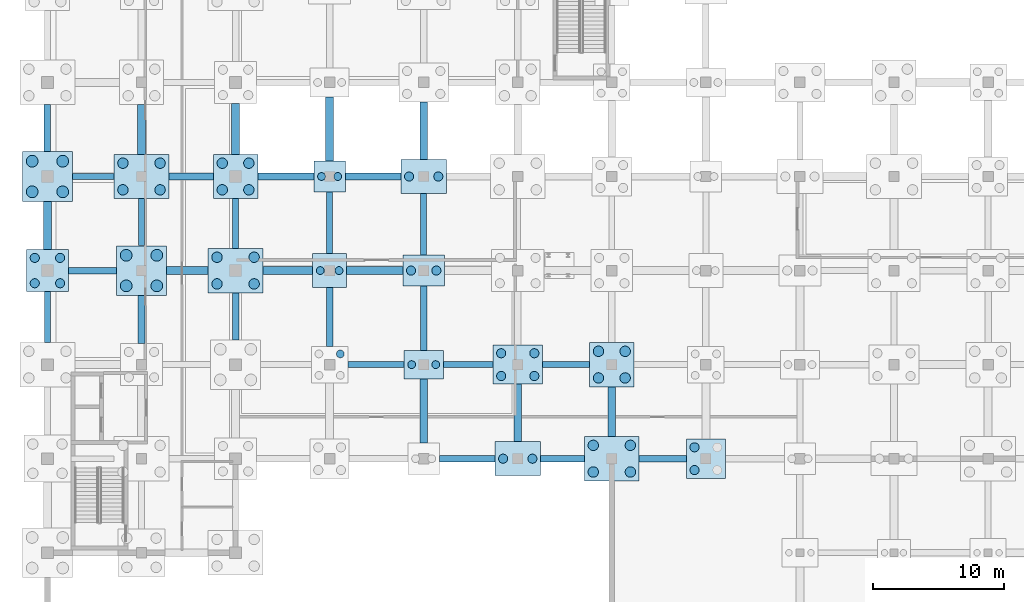
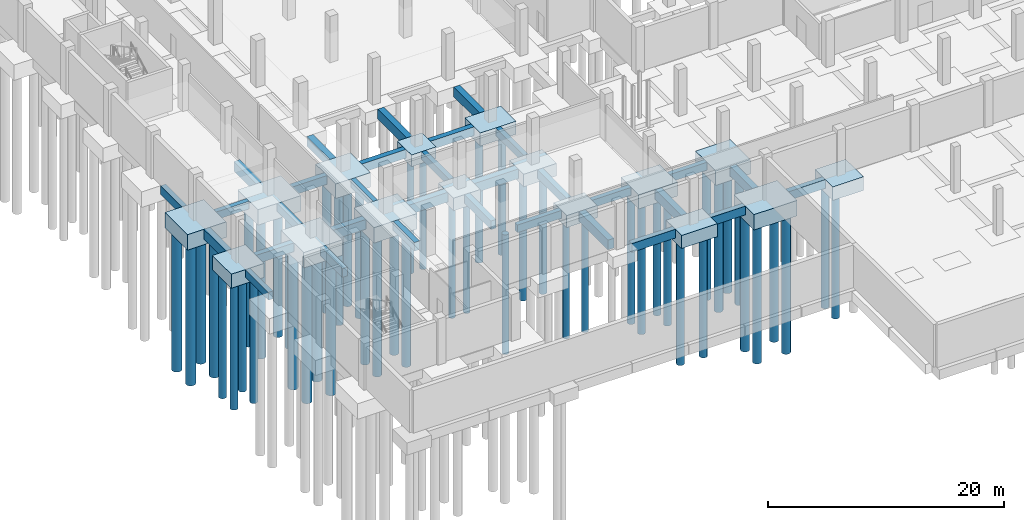
# One storey, part 2 of 38: 51 piles, 48 footings.
"""IFC4 building model written with IfcOpenShell, lengths in metres."""

import ifcopenshell
import ifcopenshell.guid

model = None  # the IFC model being written
_history = None  # IfcOwnerHistory: only IFC2X3 demands one
_inside = {}  # id of a spatial element -> (the spatial element, [elements in it])
_under = {}  # id of a project, library or spatial element -> (it, [spatial elements below it])
_declared = {}  # id of a project -> (the project, [libraries it declares])
_typed = {}  # id of a type object -> (the type object, [elements of that type])
_made_of = {}  # id of a material, layer set ... -> (it, [elements and type objects made of it])


def new_model(schema):
    """Start an empty IFC model of exactly this schema.

    Asked for "IFC4X3", IfcOpenShell would pick the latest addendum, in which some entities
    have other attributes; the version numbers below select the first issue.
    IFC2X3 requires an IfcOwnerHistory on every rooted entity: one is made here for all.
    """
    global model, _history
    if schema == "IFC4X3":
        model = ifcopenshell.file(schema_version=(4, 3, 0, 0))
    else:
        model = ifcopenshell.file(schema=schema)
    _inside.clear()
    _under.clear()
    _declared.clear()
    _typed.clear()
    _made_of.clear()
    _history = None
    if model.schema == "IFC2X3":
        org = make("IfcOrganization", Name="unknown")
        user = make(
            "IfcPersonAndOrganization",
            ThePerson=make("IfcPerson", FamilyName="unknown"),
            TheOrganization=org,
        )
        app = make(
            "IfcApplication",
            ApplicationDeveloper=org,
            Version="unknown",
            ApplicationFullName="unknown",
            ApplicationIdentifier="unknown",
        )
        _history = make(
            "IfcOwnerHistory",
            OwningUser=user,
            OwningApplication=app,
            ChangeAction="ADDED",
            CreationDate=0,
        )
    return model


def make(cls, **values):
    """One entity of the class cls with the attributes given. An attribute that is None is left unset."""
    return model.create_entity(
        cls, **{name: value for name, value in values.items() if value is not None}
    )


def rooted(cls, **values):
    """An entity with a GlobalId (a new one), such as an element, a storey or a relation."""
    return make(cls, GlobalId=ifcopenshell.guid.new(), OwnerHistory=_history, **values)


def si_unit(unit_type, name, prefix=None):
    """IfcSIUnit, for example si_unit("LENGTHUNIT", "METRE", prefix="MILLI")."""
    return make("IfcSIUnit", UnitType=unit_type, Prefix=prefix, Name=name)


def assignment(units):
    """IfcUnitAssignment: the units of a project."""
    return None if units is None else make("IfcUnitAssignment", Units=units)


def point(xyz):
    """IfcCartesianPoint."""
    return None if xyz is None else make("IfcCartesianPoint", Coordinates=xyz)


def direction(xyz):
    """IfcDirection."""
    return None if xyz is None else make("IfcDirection", DirectionRatios=xyz)


def frame(location, z_axis=None, x_axis=None):
    """IfcAxis2Placement3D, a coordinate frame: its origin and axes. An axis left out is left unset."""
    return make(
        "IfcAxis2Placement3D",
        Location=point(location),
        Axis=direction(z_axis),
        RefDirection=direction(x_axis),
    )


def frame_2d(location, x_axis=None):
    """IfcAxis2Placement2D, a coordinate frame in the plane: its origin and x axis."""
    return make(
        "IfcAxis2Placement2D", Location=point(location), RefDirection=direction(x_axis)
    )


def origin():
    """The frame at (0, 0, 0) with its axes left unset."""
    return frame((0.0, 0.0, 0.0))


def origin_2d():
    """The frame at (0, 0) in the plane with its x axis left unset."""
    return frame_2d((0.0, 0.0))


def place(relative_to, where):
    """IfcLocalPlacement: puts the frame where relative to a parent placement (None: the world)."""
    return make(
        "IfcLocalPlacement", PlacementRelTo=relative_to, RelativePlacement=where
    )


def context(
    kind, dimensions, precision=None, world=None, true_north=None, identifier=None
):
    """IfcGeometricRepresentationContext, for example the 3D "Model" context."""
    return make(
        "IfcGeometricRepresentationContext",
        ContextIdentifier=identifier,
        ContextType=kind,
        CoordinateSpaceDimension=dimensions,
        Precision=precision,
        WorldCoordinateSystem=world,
        TrueNorth=true_north,
    )


def subcontext(parent, identifier, kind, view, scale=None):
    """IfcGeometricRepresentationSubContext, for example "Body" below "Model"."""
    return make(
        "IfcGeometricRepresentationSubContext",
        ContextIdentifier=identifier,
        ContextType=kind,
        ParentContext=parent,
        TargetScale=scale,
        TargetView=view,
    )


def project(units=None, contexts=None):
    """IfcProject with its units and contexts."""
    return rooted(
        "IfcProject",
        Name="project",
        RepresentationContexts=contexts,
        UnitsInContext=assignment(units),
    )


def spatial(cls, under=None, at=None, **own):
    """A site, building, storey or space (cls), placed at a placement, below another one or the project."""
    s = rooted(cls, ObjectPlacement=at, **own)
    if under is not None:
        _under.setdefault(under.id(), (under, []))[1].append(s)
    return s


def profile(cls, at=None, kind="AREA", **sizes):
    """A parametric profile (cls). Its sizes go by their IFC names, for example OverallWidth=200.0."""
    return make(cls, ProfileType=kind, Position=at, **sizes)


def rectangle(**sizes):
    """IfcRectangleProfileDef."""
    return profile("IfcRectangleProfileDef", **sizes)


def circle(**sizes):
    """IfcCircleProfileDef."""
    return profile("IfcCircleProfileDef", **sizes)


def extrude(swept, where, along, depth):
    """IfcExtrudedAreaSolid: the profile swept, set in the frame where, extruded along a direction by depth."""
    return make(
        "IfcExtrudedAreaSolid",
        SweptArea=swept,
        Position=where,
        ExtrudedDirection=direction(along),
        Depth=depth,
    )


def shape(context_of_items, identifier, shape_type, items):
    """IfcShapeRepresentation: the items that make up one representation, for example the "Body"."""
    return make(
        "IfcShapeRepresentation",
        ContextOfItems=context_of_items,
        RepresentationIdentifier=identifier,
        RepresentationType=shape_type,
        Items=items,
    )


def material(Name=None, Category=None):
    """IfcMaterial."""
    return make("IfcMaterial", Name=Name, Category=Category)


def material_profile(
    of_material, cross_section, Name=None, Category=None, Priority=None
):
    """IfcMaterialProfile: a cross section and its material."""
    return make(
        "IfcMaterialProfile",
        Name=Name,
        Material=of_material,
        Profile=cross_section,
        Priority=Priority,
        Category=Category,
    )


def profile_set(profiles, Name=None, composite=None):
    """IfcMaterialProfileSet."""
    return make(
        "IfcMaterialProfileSet",
        Name=Name,
        MaterialProfiles=profiles,
        CompositeProfile=composite,
    )


def made_of(thing, what):
    """Note that an element or type object is made of a material, layer set ...; save() writes the relation."""
    if what is not None:
        _made_of.setdefault(what.id(), (what, []))[1].append(thing)
    return thing


def type_object(cls, material=None, **own):
    """A type object (cls), such as IfcWallType, which elements share."""
    return made_of(rooted(cls, **own), material)


def element(
    cls,
    number,
    at=None,
    inside=None,
    cuts=None,
    type_object=None,
    material=None,
    context=None,
    identifier="Body",
    shape_type=None,
    held_by="IfcProductDefinitionShape",
    body=None,
    shapes=None,
    **own,
):
    """One element of the class cls, such as IfcWall. Its Tag is "e" and its number.

    at: its placement. inside: the storey or other place that contains it. cuts: it is an
    opening in that element (IfcRelVoidsElement). A single representation is given by context,
    identifier, shape_type and body (its items); several are given by shapes. held_by: the class
    of the entity that holds the representations. save() writes the other relations.
    """
    e = rooted(cls, Tag="e%d" % number, ObjectPlacement=at, **own)
    if body is not None:
        shapes = [shape(context, identifier, shape_type, body)]
    if shapes is not None:
        e.Representation = make(held_by, Representations=shapes)
    if inside is not None:
        _inside.setdefault(inside.id(), (inside, []))[1].append(e)
    if cuts is not None:
        rooted(
            "IfcRelVoidsElement", RelatingBuildingElement=cuts, RelatedOpeningElement=e
        )
    if type_object is not None:
        _typed.setdefault(type_object.id(), (type_object, []))[1].append(e)
    return made_of(e, material)


def aggregate(whole, parts):
    """IfcRelAggregates: a whole, such as a stair, and the parts it consists of."""
    return rooted("IfcRelAggregates", RelatingObject=whole, RelatedObjects=parts)


def save(model, path):
    """Write the relations noted so far, then the file.

    IfcRelAggregates (storeys below a building ...), IfcRelContainedInSpatialStructure (elements
    in a storey), IfcRelDefinesByType, IfcRelAssociatesMaterial and IfcRelDeclares: one each for
    every whole, place, type object, material and project.
    """
    for whole, parts in _under.values():
        aggregate(whole, parts)
    for where, things in _inside.values():
        rooted(
            "IfcRelContainedInSpatialStructure",
            RelatedElements=things,
            RelatingStructure=where,
        )
    for kind, things in _typed.values():
        rooted("IfcRelDefinesByType", RelatedObjects=things, RelatingType=kind)
    for what, things in _made_of.values():
        rooted("IfcRelAssociatesMaterial", RelatedObjects=things, RelatingMaterial=what)
    for by, libraries in _declared.values():
        rooted("IfcRelDeclares", RelatingContext=by, RelatedDefinitions=libraries)
    model.write(path)


model = new_model("IFC4")

# Units and contexts
model_context = context("Model", 3, precision=1e-05, world=origin(), true_north=direction((0.0, 1.0)))
body_context = subcontext(model_context, "Body", "Model", "MODEL_VIEW")
ifc_project = project(units=[si_unit("LENGTHUNIT", "METRE"), si_unit("AREAUNIT", "SQUARE_METRE"), si_unit("VOLUMEUNIT", "CUBIC_METRE"), si_unit("PLANEANGLEUNIT", "RADIAN"), si_unit("MASSUNIT", "GRAM", prefix="KILO")], contexts=[model_context])

# Site, building, storey
site_placement = place(None, origin())
site = spatial("IfcSite", under=ifc_project, at=site_placement, CompositionType="ELEMENT")
building_placement = place(site_placement, origin())
building = spatial("IfcBuilding", under=site, at=building_placement, Name="Valkovuoma Quantum and Materials Research Institute", CompositionType="ELEMENT")
storey_placement = place(building_placement, frame((0.0, 0.0, -4.800048828125)))
storey = spatial("IfcBuildingStorey", under=building, at=storey_placement, Name="B1", CompositionType="ELEMENT", Elevation=-4.800048828125)

# Footings
ifc_material_1 = material(Name="Concrete C35/45", Category="concrete")
footing_type_1 = type_object("IfcFootingType", Name="Cap-PC-03", PredefinedType="PILE_CAP", material=ifc_material_1)
footing_1_placement = place(storey_placement, frame((21.60009765625, 57.60009765625, -1.19970703125), z_axis=(0.0, 0.0, 1.0), x_axis=(1.0, 0.0, 0.0)))
element("IfcFooting", 1, at=footing_1_placement, inside=storey, type_object=footing_type_1, Name="B1 pile cap 04J", PredefinedType="PILE_CAP", context=body_context, shape_type="SweptSolid", body=[
    extrude(rectangle(XDim=2.39990234375, YDim=2.39990234375, at=origin_2d()), origin(), (0.0, 0.0, 1.0), 1.199951171875),
])
ifc_material_2 = material(Name="Concrete C35/45", Category="concrete")
footing_type_2 = type_object("IfcFootingType", Name="Cap-PC-04", PredefinedType="PILE_CAP", material=ifc_material_2)
footing_2_placement = place(storey_placement, frame((21.60009765625, 50.39990234375, -1.2998046875), z_axis=(0.0, 0.0, 1.0), x_axis=(1.0, 0.0, 0.0)))
element("IfcFooting", 2, at=footing_2_placement, inside=storey, type_object=footing_type_2, Name="B1 pile cap 04H", PredefinedType="PILE_CAP", context=body_context, shape_type="SweptSolid", body=[
    extrude(rectangle(XDim=2.60009765625, YDim=2.60009765625, at=origin_2d()), origin(), (0.0, 0.0, 1.0), 1.300048828125),
])
ifc_material_3 = material(Name="Concrete C35/45", Category="concrete")
footing_type_3 = type_object("IfcFootingType", Name="Cap-PC-06", PredefinedType="PILE_CAP", material=ifc_material_3)
footing_3_placement = place(storey_placement, frame((50.39990234375, 36.0, -1.39990234375), z_axis=(0.0, 0.0, 1.0), x_axis=(1.0, 0.0, 0.0)))
element("IfcFooting", 3, at=footing_3_placement, inside=storey, type_object=footing_type_3, Name="B1 pile cap 08F", PredefinedType="PILE_CAP", context=body_context, shape_type="SweptSolid", body=[
    extrude(rectangle(XDim=3.0, YDim=3.0, at=origin_2d()), origin(), (0.0, 0.0, 1.0), 1.39990234375),
])
ifc_material_4 = material(Name="Concrete C35/45", Category="concrete")
footing_type_4 = type_object("IfcFootingType", Name="Cap-PC-07", PredefinedType="PILE_CAP", material=ifc_material_4)
footing_4_placement = place(storey_placement, frame((0.0, 50.39990234375, -1.44970703125), z_axis=(0.0, 0.0, 1.0), x_axis=(1.0, 0.0, 0.0)))
element("IfcFooting", 4, at=footing_4_placement, inside=storey, type_object=footing_type_4, Name="B1 pile cap 01H", PredefinedType="PILE_CAP", context=body_context, shape_type="SweptSolid", body=[
    extrude(rectangle(XDim=3.199951171875, YDim=3.199951171875, at=origin_2d()), origin(), (0.0, 0.0, 1.0), 1.449951171875),
])
ifc_material_5 = material(Name="Concrete C35/45", Category="concrete")
footing_type_5 = type_object("IfcFootingType", Name="Cap-PC-08", PredefinedType="PILE_CAP", material=ifc_material_5)
for number, where, z_axis, x_axis, name in (
    (5, (14.39990234375, 57.60009765625, -1.5), (0.0, 0.0, 1.0), (1.0, 0.0, 0.0), "B1 pile cap 03J"),
    (6, (43.199951171875, 43.199951171875, -1.5), (0.0, 0.0, 1.0), (1.0, 0.0, 0.0), "B1 pile cap 07G"),
):
    element("IfcFooting", number, at=place(storey_placement, frame(where, z_axis=z_axis, x_axis=x_axis)), inside=storey, type_object=footing_type_5, Name=name, PredefinedType="PILE_CAP", context=body_context, shape_type="SweptSolid", body=[
        extrude(rectangle(XDim=3.39990234375, YDim=3.39990234375, at=origin_2d()), origin(), (0.0, 0.0, 1.0), 1.5),
    ])
ifc_material_6 = material(Name="Concrete C35/45", Category="concrete")
footing_type_6 = type_object("IfcFootingType", Name="Cap-PC-10", PredefinedType="PILE_CAP", material=ifc_material_6)
for number, where, z_axis, x_axis, name in (
    (7, (0.0, 57.60009765625, -1.60009765625), (0.0, 0.0, 1.0), (1.0, 0.0, 0.0), "B1 pile cap 01J"),
    (8, (7.199951171875, 50.39990234375, -1.60009765625), (0.0, 0.0, 1.0), (1.0, 0.0, 0.0), "B1 pile cap 02H"),
):
    element("IfcFooting", number, at=place(storey_placement, frame(where, z_axis=z_axis, x_axis=x_axis)), inside=storey, type_object=footing_type_6, Name=name, PredefinedType="PILE_CAP", context=body_context, shape_type="SweptSolid", body=[
        extrude(rectangle(XDim=3.800048828125, YDim=3.800048828125, at=origin_2d()), origin(), (0.0, 0.0, 1.0), 1.60009765625),
    ])
ifc_material_7 = material(Name="Concrete C35/45", Category="concrete")
footing_type_7 = type_object("IfcFootingType", Name="Cap-PC-11", PredefinedType="PILE_CAP", material=ifc_material_7)
footing_5_placement = place(storey_placement, frame((28.800048828125, 43.199951171875, -1.25), z_axis=(0.0, 0.0, 1.0), x_axis=(1.0, 0.0, 0.0)))
element("IfcFooting", 9, at=footing_5_placement, inside=storey, type_object=footing_type_7, Name="B1 pile cap 05G", PredefinedType="PILE_CAP", context=body_context, shape_type="SweptSolid", body=[
    extrude(rectangle(XDim=3.0, YDim=2.199951171875, at=origin_2d()), origin(), (0.0, 0.0, 1.0), 1.25),
])
ifc_material_8 = material(Name="Concrete C35/45", Category="concrete")
footing_type_8 = type_object("IfcFootingType", Name="Cap-PC-12", PredefinedType="PILE_CAP", material=ifc_material_8)
footing_6_placement = place(storey_placement, frame((28.800048828125, 50.39990234375, -1.2998046875), z_axis=(0.0, 0.0, 1.0), x_axis=(1.0, 0.0, 0.0)))
element("IfcFooting", 10, at=footing_6_placement, inside=storey, type_object=footing_type_8, Name="B1 pile cap 05H", PredefinedType="PILE_CAP", context=body_context, shape_type="SweptSolid", body=[
    extrude(rectangle(XDim=3.199951171875, YDim=2.39990234375, at=origin_2d()), origin(), (0.0, 0.0, 1.0), 1.300048828125),
])
ifc_material_9 = material(Name="Concrete C35/45", Category="concrete")
footing_type_9 = type_object("IfcFootingType", Name="Cap-PC-13", PredefinedType="PILE_CAP", material=ifc_material_9)
for number, where, z_axis, x_axis, name in (
    (11, (28.800048828125, 57.60009765625, -1.35009765625), (0.0, 0.0, 1.0), (1.0, 0.0, 0.0), "B1 pile cap 05J"),
    (12, (36.0, 36.0, -1.35009765625), (0.0, 0.0, 1.0), (1.0, 0.0, 0.0), "B1 pile cap 06F"),
):
    element("IfcFooting", number, at=place(storey_placement, frame(where, z_axis=z_axis, x_axis=x_axis)), inside=storey, type_object=footing_type_9, Name=name, PredefinedType="PILE_CAP", context=body_context, shape_type="SweptSolid", body=[
        extrude(rectangle(XDim=3.5, YDim=2.60009765625, at=origin_2d()), origin(), (0.0, 0.0, 1.0), 1.35009765625),
    ])
ifc_material_10 = material(Name="Concrete C35/45", Category="concrete")
footing_type_10 = type_object("IfcFootingType", Name="Cap-PC-14", PredefinedType="PILE_CAP", material=ifc_material_10)
footing_7_placement = place(storey_placement, frame((36.0, 43.199951171875, -1.44970703125), z_axis=(0.0, 0.0, 1.0), x_axis=(1.0, 0.0, 0.0)))
element("IfcFooting", 13, at=footing_7_placement, inside=storey, type_object=footing_type_10, Name="B1 pile cap 06G", PredefinedType="PILE_CAP", context=body_context, shape_type="SweptSolid", body=[
    extrude(rectangle(XDim=3.800048828125, YDim=3.0, at=origin_2d()), origin(), (0.0, 0.0, 1.0), 1.449951171875),
])
ifc_material_11 = material(Name="Concrete C35/45", Category="concrete")
footing_type_11 = type_object("IfcFootingType", Name="Cap-PC-16", PredefinedType="PILE_CAP", material=ifc_material_11)
for number, where, z_axis, x_axis, name in (
    (14, (7.199951171875, 57.60009765625, -1.60009765625), (0.0, 0.0, 1.0), (1.0, 0.0, 0.0), "B1 pile cap 02J"),
    (15, (14.39990234375, 50.39990234375, -1.60009765625), (0.0, 0.0, 1.0), (1.0, 0.0, 0.0), "B1 pile cap 03H"),
    (16, (43.199951171875, 36.0, -1.60009765625), (0.0, 0.0, 1.0), (1.0, 0.0, 0.0), "B1 pile cap 07F"),
):
    element("IfcFooting", number, at=place(storey_placement, frame(where, z_axis=z_axis, x_axis=x_axis)), inside=storey, type_object=footing_type_11, Name=name, PredefinedType="PILE_CAP", context=body_context, shape_type="SweptSolid", body=[
        extrude(rectangle(XDim=4.199951171875, YDim=3.39990234375, at=origin_2d()), origin(), (0.0, 0.0, 1.0), 1.60009765625),
    ])
ifc_material_12 = material(Name="Concrete C35/45", Category="concrete")
footing_type_12 = type_object("IfcFootingType", Name="GndBeam-FB-01", PredefinedType="FOOTING_BEAM", material=ifc_material_12)
footing_8_placement = place(storey_placement, frame((0.0, 46.85009765625, -0.7998046875), z_axis=(0.0, 0.0, 1.0), x_axis=(0.0, 1.0, 0.0)))
element("IfcFooting", 17, at=footing_8_placement, inside=storey, type_object=footing_type_12, Name="B1 ground tie beam Y-006", PredefinedType="FOOTING_BEAM", context=body_context, shape_type="SweptSolid", body=[
    extrude(rectangle(XDim=3.89990234375, YDim=0.449951171875, at=origin_2d()), origin(), (0.0, 0.0, 1.0), 0.800048828125),
])
footing_9_placement = place(storey_placement, frame((3.5, 57.60009765625, -0.7998046875), z_axis=(0.0, 0.0, 1.0), x_axis=(1.0, 0.0, 0.0)))
element("IfcFooting", 18, at=footing_9_placement, inside=storey, type_object=footing_type_12, Name="B1 ground tie beam X-009", PredefinedType="FOOTING_BEAM", context=body_context, shape_type="SweptSolid", body=[
    extrude(rectangle(XDim=3.199951171875, YDim=0.449951171875, at=origin_2d()), origin(), (0.0, 0.0, 1.0), 0.800048828125),
])
footing_10_placement = place(storey_placement, frame((7.199951171875, 54.10009765625, -0.7998046875), z_axis=(0.0, 0.0, 1.0), x_axis=(0.0, 1.0, 0.0)))
element("IfcFooting", 19, at=footing_10_placement, inside=storey, type_object=footing_type_12, Name="B1 ground tie beam Y-027", PredefinedType="FOOTING_BEAM", context=body_context, shape_type="SweptSolid", body=[
    extrude(rectangle(XDim=3.60009765625, YDim=0.449951171875, at=origin_2d()), origin(), (0.0, 0.0, 1.0), 0.800048828125),
])
footing_11_placement = place(storey_placement, frame((14.39990234375, 54.0, -0.7998046875), z_axis=(0.0, 0.0, 1.0), x_axis=(0.0, 1.0, 0.0)))
element("IfcFooting", 20, at=footing_11_placement, inside=storey, type_object=footing_type_12, Name="B1 ground tie beam Y-045", PredefinedType="FOOTING_BEAM", context=body_context, shape_type="SweptSolid", body=[
    extrude(rectangle(XDim=3.800048828125, YDim=0.449951171875, at=origin_2d()), origin(), (0.0, 0.0, 1.0), 0.800048828125),
])
footing_12_placement = place(storey_placement, frame((25.14990234375, 43.199951171875, -0.7998046875), z_axis=(0.0, 0.0, 1.0), x_axis=(1.0, 0.0, 0.0)))
element("IfcFooting", 21, at=footing_12_placement, inside=storey, type_object=footing_type_12, Name="B1 ground tie beam X-063", PredefinedType="FOOTING_BEAM", context=body_context, shape_type="SweptSolid", body=[
    extrude(rectangle(XDim=4.300048828125, YDim=0.449951171875, at=origin_2d()), origin(), (0.0, 0.0, 1.0), 0.800048828125),
])
footing_13_placement = place(storey_placement, frame((21.60009765625, 54.050048828125, -0.7998046875), z_axis=(0.0, 0.0, 1.0), x_axis=(0.0, 1.0, 0.0)))
element("IfcFooting", 22, at=footing_13_placement, inside=storey, type_object=footing_type_12, Name="B1 ground tie beam Y-066", PredefinedType="FOOTING_BEAM", context=body_context, shape_type="SweptSolid", body=[
    extrude(rectangle(XDim=4.699951171875, YDim=0.449951171875, at=origin_2d()), origin(), (0.0, 0.0, 1.0), 0.800048828125),
])
footing_14_placement = place(storey_placement, frame((32.199951171875, 43.199951171875, -0.7998046875), z_axis=(0.0, 0.0, 1.0), x_axis=(1.0, 0.0, 0.0)))
element("IfcFooting", 23, at=footing_14_placement, inside=storey, type_object=footing_type_12, Name="B1 ground tie beam X-084", PredefinedType="FOOTING_BEAM", context=body_context, shape_type="SweptSolid", body=[
    extrude(rectangle(XDim=3.800048828125, YDim=0.449951171875, at=origin_2d()), origin(), (0.0, 0.0, 1.0), 0.800048828125),
])
footing_15_placement = place(storey_placement, frame((28.800048828125, 53.949951171875, -0.7998046875), z_axis=(0.0, 0.0, 1.0), x_axis=(0.0, 1.0, 0.0)))
element("IfcFooting", 24, at=footing_15_placement, inside=storey, type_object=footing_type_12, Name="B1 ground tie beam Y-087", PredefinedType="FOOTING_BEAM", context=body_context, shape_type="SweptSolid", body=[
    extrude(rectangle(XDim=4.699951171875, YDim=0.449951171875, at=origin_2d()), origin(), (0.0, 0.0, 1.0), 0.800048828125),
])
footing_16_placement = place(storey_placement, frame((39.699951171875, 43.199951171875, -0.7998046875), z_axis=(0.0, 0.0, 1.0), x_axis=(1.0, 0.0, 0.0)))
element("IfcFooting", 25, at=footing_16_placement, inside=storey, type_object=footing_type_12, Name="B1 ground tie beam X-105", PredefinedType="FOOTING_BEAM", context=body_context, shape_type="SweptSolid", body=[
    extrude(rectangle(XDim=3.60009765625, YDim=0.449951171875, at=origin_2d()), origin(), (0.0, 0.0, 1.0), 0.800048828125),
])
ifc_material_13 = material(Name="Concrete C35/45", Category="concrete")
footing_type_13 = type_object("IfcFootingType", Name="GndBeam-FB-02", PredefinedType="FOOTING_BEAM", material=ifc_material_13)
footing_17_placement = place(storey_placement, frame((3.449951171875, 50.39990234375, -0.89990234375), z_axis=(0.0, 0.0, 1.0), x_axis=(1.0, 0.0, 0.0)))
element("IfcFooting", 26, at=footing_17_placement, inside=storey, type_object=footing_type_13, Name="B1 ground tie beam X-007", PredefinedType="FOOTING_BEAM", context=body_context, shape_type="SweptSolid", body=[
    extrude(rectangle(XDim=3.699951171875, YDim=0.5, at=origin_2d()), origin(), (0.0, 0.0, 1.0), 0.89990234375),
])
footing_18_placement = place(storey_placement, frame((0.0, 61.300048828125, -0.89990234375), z_axis=(0.0, 0.0, 1.0), x_axis=(0.0, 1.0, 0.0)))
element("IfcFooting", 27, at=footing_18_placement, inside=storey, type_object=footing_type_13, Name="B1 ground tie beam Y-010", PredefinedType="FOOTING_BEAM", context=body_context, shape_type="SweptSolid", body=[
    extrude(rectangle(XDim=3.60009765625, YDim=0.5, at=origin_2d()), origin(), (0.0, 0.0, 1.0), 0.89990234375),
])
footing_19_placement = place(storey_placement, frame((7.199951171875, 46.64990234375, -0.89990234375), z_axis=(0.0, 0.0, 1.0), x_axis=(0.0, 1.0, 0.0)))
element("IfcFooting", 28, at=footing_19_placement, inside=storey, type_object=footing_type_13, Name="B1 ground tie beam Y-025", PredefinedType="FOOTING_BEAM", context=body_context, shape_type="SweptSolid", body=[
    extrude(rectangle(XDim=3.699951171875, YDim=0.5, at=origin_2d()), origin(), (0.0, 0.0, 1.0), 0.89990234375),
])
footing_20_placement = place(storey_placement, frame((11.0, 57.60009765625, -0.89990234375), z_axis=(0.0, 0.0, 1.0), x_axis=(1.0, 0.0, 0.0)))
element("IfcFooting", 29, at=footing_20_placement, inside=storey, type_object=footing_type_13, Name="B1 ground tie beam X-028", PredefinedType="FOOTING_BEAM", context=body_context, shape_type="SweptSolid", body=[
    extrude(rectangle(XDim=3.39990234375, YDim=0.5, at=origin_2d()), origin(), (0.0, 0.0, 1.0), 0.89990234375),
])
footing_21_placement = place(storey_placement, frame((14.39990234375, 46.89990234375, -0.89990234375), z_axis=(0.0, 0.0, 1.0), x_axis=(0.0, 1.0, 0.0)))
element("IfcFooting", 30, at=footing_21_placement, inside=storey, type_object=footing_type_13, Name="B1 ground tie beam Y-043", PredefinedType="FOOTING_BEAM", context=body_context, shape_type="SweptSolid", body=[
    extrude(rectangle(XDim=3.60009765625, YDim=0.5, at=origin_2d()), origin(), (0.0, 0.0, 1.0), 0.89990234375),
])
footing_22_placement = place(storey_placement, frame((18.25, 57.60009765625, -0.89990234375), z_axis=(0.0, 0.0, 1.0), x_axis=(1.0, 0.0, 0.0)))
element("IfcFooting", 31, at=footing_22_placement, inside=storey, type_object=footing_type_13, Name="B1 ground tie beam X-046", PredefinedType="FOOTING_BEAM", context=body_context, shape_type="SweptSolid", body=[
    extrude(rectangle(XDim=4.300048828125, YDim=0.5, at=origin_2d()), origin(), (0.0, 0.0, 1.0), 0.89990234375),
])
footing_23_placement = place(storey_placement, frame((21.60009765625, 46.85009765625, -0.89990234375), z_axis=(0.0, 0.0, 1.0), x_axis=(0.0, 1.0, 0.0)))
element("IfcFooting", 32, at=footing_23_placement, inside=storey, type_object=footing_type_13, Name="B1 ground tie beam Y-064", PredefinedType="FOOTING_BEAM", context=body_context, shape_type="SweptSolid", body=[
    extrude(rectangle(XDim=4.5, YDim=0.5, at=origin_2d()), origin(), (0.0, 0.0, 1.0), 0.89990234375),
])
for number, where, z_axis, x_axis, name in (
    (33, (24.925048828125, 57.60009765625, -0.89990234375), (0.0, 0.0, 1.0), (1.0, 0.0, 0.0), "B1 ground tie beam X-067"),
    (34, (32.125, 36.0, -0.89990234375), (0.0, 0.0, 1.0), (1.0, 0.0, 0.0), "B1 ground tie beam X-082"),
):
    element("IfcFooting", number, at=place(storey_placement, frame(where, z_axis=z_axis, x_axis=x_axis)), inside=storey, type_object=footing_type_13, Name=name, PredefinedType="FOOTING_BEAM", context=body_context, shape_type="SweptSolid", body=[
        extrude(rectangle(XDim=4.25, YDim=0.5, at=origin_2d()), origin(), (0.0, 0.0, 1.0), 0.89990234375),
    ])
footing_24_placement = place(storey_placement, frame((28.800048828125, 46.75, -0.89990234375), z_axis=(0.0, 0.0, 1.0), x_axis=(0.0, 1.0, 0.0)))
element("IfcFooting", 35, at=footing_24_placement, inside=storey, type_object=footing_type_13, Name="B1 ground tie beam Y-085", PredefinedType="FOOTING_BEAM", context=body_context, shape_type="SweptSolid", body=[
    extrude(rectangle(XDim=4.89990234375, YDim=0.5, at=origin_2d()), origin(), (0.0, 0.0, 1.0), 0.89990234375),
])
footing_25_placement = place(storey_placement, frame((39.425048828125, 36.0, -0.89990234375), z_axis=(0.0, 0.0, 1.0), x_axis=(1.0, 0.0, 0.0)))
element("IfcFooting", 36, at=footing_25_placement, inside=storey, type_object=footing_type_13, Name="B1 ground tie beam X-103", PredefinedType="FOOTING_BEAM", context=body_context, shape_type="SweptSolid", body=[
    extrude(rectangle(XDim=3.35009765625, YDim=0.5, at=origin_2d()), origin(), (0.0, 0.0, 1.0), 0.89990234375),
])
footing_26_placement = place(storey_placement, frame((47.10009765625, 36.0, -0.89990234375), z_axis=(0.0, 0.0, 1.0), x_axis=(1.0, 0.0, 0.0)))
element("IfcFooting", 37, at=footing_26_placement, inside=storey, type_object=footing_type_13, Name="B1 ground tie beam X-124", PredefinedType="FOOTING_BEAM", context=body_context, shape_type="SweptSolid", body=[
    extrude(rectangle(XDim=3.60009765625, YDim=0.5, at=origin_2d()), origin(), (0.0, 0.0, 1.0), 0.89990234375),
])
ifc_material_14 = material(Name="Concrete C35/45", Category="concrete")
footing_type_14 = type_object("IfcFootingType", Name="GndBeam-FB-03", PredefinedType="FOOTING_BEAM", material=ifc_material_14)
footing_27_placement = place(storey_placement, frame((0.0, 53.85009765625, -1.0), z_axis=(0.0, 0.0, 1.0), x_axis=(0.0, 1.0, 0.0)))
element("IfcFooting", 38, at=footing_27_placement, inside=storey, type_object=footing_type_14, Name="B1 ground tie beam Y-008", PredefinedType="FOOTING_BEAM", context=body_context, shape_type="SweptSolid", body=[
    extrude(rectangle(XDim=3.699951171875, YDim=0.60009765625, at=origin_2d()), origin(), (0.0, 0.0, 1.0), 1.0),
])
footing_28_placement = place(storey_placement, frame((10.699951171875, 50.39990234375, -1.0), z_axis=(0.0, 0.0, 1.0), x_axis=(1.0, 0.0, 0.0)))
element("IfcFooting", 39, at=footing_28_placement, inside=storey, type_object=footing_type_14, Name="B1 ground tie beam X-026", PredefinedType="FOOTING_BEAM", context=body_context, shape_type="SweptSolid", body=[
    extrude(rectangle(XDim=3.199951171875, YDim=0.60009765625, at=origin_2d()), origin(), (0.0, 0.0, 1.0), 1.0),
])
for number, where, z_axis, x_axis, name in (
    (40, (7.199951171875, 61.199951171875, -1.0), (0.0, 0.0, 1.0), (0.0, 1.0, 0.0), "B1 ground tie beam Y-029"),
    (41, (18.39990234375, 50.39990234375, -1.0), (0.0, 0.0, 1.0), (1.0, 0.0, 0.0), "B1 ground tie beam X-044"),
):
    element("IfcFooting", number, at=place(storey_placement, frame(where, z_axis=z_axis, x_axis=x_axis)), inside=storey, type_object=footing_type_14, Name=name, PredefinedType="FOOTING_BEAM", context=body_context, shape_type="SweptSolid", body=[
        extrude(rectangle(XDim=3.800048828125, YDim=0.60009765625, at=origin_2d()), origin(), (0.0, 0.0, 1.0), 1.0),
    ])
footing_29_placement = place(storey_placement, frame((14.39990234375, 61.25, -1.0), z_axis=(0.0, 0.0, 1.0), x_axis=(0.0, 1.0, 0.0)))
element("IfcFooting", 42, at=footing_29_placement, inside=storey, type_object=footing_type_14, Name="B1 ground tie beam Y-047", PredefinedType="FOOTING_BEAM", context=body_context, shape_type="SweptSolid", body=[
    extrude(rectangle(XDim=3.89990234375, YDim=0.60009765625, at=origin_2d()), origin(), (0.0, 0.0, 1.0), 1.0),
])
footing_30_placement = place(storey_placement, frame((25.050048828125, 50.39990234375, -1.0), z_axis=(0.0, 0.0, 1.0), x_axis=(1.0, 0.0, 0.0)))
element("IfcFooting", 43, at=footing_30_placement, inside=storey, type_object=footing_type_14, Name="B1 ground tie beam X-065", PredefinedType="FOOTING_BEAM", context=body_context, shape_type="SweptSolid", body=[
    extrude(rectangle(XDim=4.300048828125, YDim=0.60009765625, at=origin_2d()), origin(), (0.0, 0.0, 1.0), 1.0),
])
for number, where, z_axis, x_axis, name in (
    (44, (21.60009765625, 61.25, -1.0), (0.0, 0.0, 1.0), (0.0, 1.0, 0.0), "B1 ground tie beam Y-068"),
    (45, (28.800048828125, 39.64990234375, -1.0), (0.0, 0.0, 1.0), (0.0, 1.0, 0.0), "B1 ground tie beam Y-083"),
):
    element("IfcFooting", number, at=place(storey_placement, frame(where, z_axis=z_axis, x_axis=x_axis)), inside=storey, type_object=footing_type_14, Name=name, PredefinedType="FOOTING_BEAM", context=body_context, shape_type="SweptSolid", body=[
        extrude(rectangle(XDim=4.89990234375, YDim=0.60009765625, at=origin_2d()), origin(), (0.0, 0.0, 1.0), 1.0),
    ])
for number, where, z_axis, x_axis, name in (
    (46, (28.800048828125, 61.10009765625, -1.0), (0.0, 0.0, 1.0), (0.0, 1.0, 0.0), "B1 ground tie beam Y-089"),
    (47, (36.0, 39.5, -1.0), (0.0, 0.0, 1.0), (0.0, 1.0, 0.0), "B1 ground tie beam Y-104"),
):
    element("IfcFooting", number, at=place(storey_placement, frame(where, z_axis=z_axis, x_axis=x_axis)), inside=storey, type_object=footing_type_14, Name=name, PredefinedType="FOOTING_BEAM", context=body_context, shape_type="SweptSolid", body=[
        extrude(rectangle(XDim=4.39990234375, YDim=0.60009765625, at=origin_2d()), origin(), (0.0, 0.0, 1.0), 1.0),
    ])
footing_31_placement = place(storey_placement, frame((43.199951171875, 39.60009765625, -1.0), z_axis=(0.0, 0.0, 1.0), x_axis=(0.0, 1.0, 0.0)))
element("IfcFooting", 48, at=footing_31_placement, inside=storey, type_object=footing_type_14, Name="B1 ground tie beam Y-125", PredefinedType="FOOTING_BEAM", context=body_context, shape_type="SweptSolid", body=[
    extrude(rectangle(XDim=3.800048828125, YDim=0.60009765625, at=origin_2d()), origin(), (0.0, 0.0, 1.0), 1.0),
])

# Piles
ifc_material_15 = material(Name="Concrete C40/50", Category="concrete")
ifc_material_profile_1 = material_profile(ifc_material_15, circle(Radius=0.300048828125, at=origin_2d()), Name="Concrete C40/50")
ifc_profile_set_1 = profile_set([ifc_material_profile_1], Name="Concrete C40/50")
pile_type_1 = type_object("IfcPileType", Name="Pile-PL-B600", PredefinedType="BORED", material=ifc_profile_set_1)
pile_placement = place(storey_placement, frame((22.419921875, 44.02001953125, -1.25), z_axis=(0.0, 0.0, -1.0), x_axis=(1.0, 0.0, 0.0)))
element("IfcPile", 49, at=pile_placement, inside=storey, type_object=pile_type_1, Name="B1 pile 04G-4", PredefinedType="BORED", context=body_context, shape_type="SweptSolid", body=[
    extrude(circle(Radius=0.300048828125, at=origin_2d()), origin(), (0.0, 0.0, 1.0), 12.35009765625),
])
for number, where, z_axis, x_axis, name in (
    (50, (20.8798828125, 50.39990234375, -1.199951171875), (0.0, 0.0, -1.0), (1.0, 0.0, 0.0), "B1 pile 04H-1"),
    (51, (22.320068359375, 50.39990234375, -1.199951171875), (0.0, 0.0, -1.0), (1.0, 0.0, 0.0), "B1 pile 04H-2"),
):
    element("IfcPile", number, at=place(storey_placement, frame(where, z_axis=z_axis, x_axis=x_axis)), inside=storey, type_object=pile_type_1, Name=name, PredefinedType="BORED", context=body_context, shape_type="SweptSolid", body=[
        extrude(circle(Radius=0.300048828125, at=origin_2d()), origin(), (0.0, 0.0, 1.0), 12.0),
    ])
for number, where, z_axis, x_axis, name in (
    (52, (20.97998046875, 57.60009765625, -1.099853515625), (0.0, 0.0, -1.0), (1.0, 0.0, 0.0), "B1 pile 04J-1"),
    (53, (22.219970703125, 57.60009765625, -1.099853515625), (0.0, 0.0, -1.0), (1.0, 0.0, 0.0), "B1 pile 04J-2"),
):
    element("IfcPile", number, at=place(storey_placement, frame(where, z_axis=z_axis, x_axis=x_axis)), inside=storey, type_object=pile_type_1, Name=name, PredefinedType="BORED", context=body_context, shape_type="SweptSolid", body=[
        extrude(circle(Radius=0.300048828125, at=origin_2d()), origin(), (0.0, 0.0, 1.0), 11.89990234375),
    ])
for number, where, z_axis, x_axis, name in (
    (54, (27.8798828125, 43.199951171875, -1.14990234375), (0.0, 0.0, -1.0), (1.0, 0.0, 0.0), "B1 pile 05G-1"),
    (55, (29.719970703125, 43.199951171875, -1.14990234375), (0.0, 0.0, -1.0), (1.0, 0.0, 0.0), "B1 pile 05G-2"),
):
    element("IfcPile", number, at=place(storey_placement, frame(where, z_axis=z_axis, x_axis=x_axis)), inside=storey, type_object=pile_type_1, Name=name, PredefinedType="BORED", context=body_context, shape_type="SweptSolid", body=[
        extrude(circle(Radius=0.300048828125, at=origin_2d()), origin(), (0.0, 0.0, 1.0), 12.25),
    ])
ifc_material_16 = material(Name="Concrete C40/50", Category="concrete")
ifc_material_profile_2 = material_profile(ifc_material_16, circle(Radius=0.35009765625, at=origin_2d()), Name="Concrete C40/50")
ifc_profile_set_2 = profile_set([ifc_material_profile_2], Name="Concrete C40/50")
pile_type_2 = type_object("IfcPileType", Name="Pile-PL-B700", PredefinedType="BORED", material=ifc_profile_set_2)
for number, where, z_axis, x_axis, name in (
    (56, (-0.969970703125, 49.429931640625, -1.349853515625), (0.0, 0.0, -1.0), (1.0, 0.0, 0.0), "B1 pile 01H-1"),
    (57, (0.969970703125, 49.429931640625, -1.349853515625), (0.0, 0.0, -1.0), (1.0, 0.0, 0.0), "B1 pile 01H-2"),
    (58, (-0.969970703125, 51.3701171875, -1.349853515625), (0.0, 0.0, -1.0), (1.0, 0.0, 0.0), "B1 pile 01H-3"),
    (59, (0.969970703125, 51.3701171875, -1.349853515625), (0.0, 0.0, -1.0), (1.0, 0.0, 0.0), "B1 pile 01H-4"),
):
    element("IfcPile", number, at=place(storey_placement, frame(where, z_axis=z_axis, x_axis=x_axis)), inside=storey, type_object=pile_type_2, Name=name, PredefinedType="BORED", context=body_context, shape_type="SweptSolid", body=[
        extrude(circle(Radius=0.35009765625, at=origin_2d()), origin(), (0.0, 0.0, 1.0), 13.050048828125),
    ])
for number, where, z_axis, x_axis, name in (
    (60, (27.830078125, 50.39990234375, -1.199951171875), (0.0, 0.0, -1.0), (1.0, 0.0, 0.0), "B1 pile 05H-1"),
    (61, (29.77001953125, 50.39990234375, -1.199951171875), (0.0, 0.0, -1.0), (1.0, 0.0, 0.0), "B1 pile 05H-2"),
):
    element("IfcPile", number, at=place(storey_placement, frame(where, z_axis=z_axis, x_axis=x_axis)), inside=storey, type_object=pile_type_2, Name=name, PredefinedType="BORED", context=body_context, shape_type="SweptSolid", body=[
        extrude(circle(Radius=0.35009765625, at=origin_2d()), origin(), (0.0, 0.0, 1.0), 12.60009765625),
    ])
for number, where, z_axis, x_axis, name in (
    (62, (27.679931640625, 57.60009765625, -1.25), (0.0, 0.0, -1.0), (1.0, 0.0, 0.0), "B1 pile 05J-1"),
    (63, (29.919921875, 57.60009765625, -1.25), (0.0, 0.0, -1.0), (1.0, 0.0, 0.0), "B1 pile 05J-2"),
    (64, (34.8798828125, 36.0, -1.25), (0.0, 0.0, -1.0), (1.0, 0.0, 0.0), "B1 pile 06F-1"),
    (65, (37.1201171875, 36.0, -1.25), (0.0, 0.0, -1.0), (1.0, 0.0, 0.0), "B1 pile 06F-2"),
):
    element("IfcPile", number, at=place(storey_placement, frame(where, z_axis=z_axis, x_axis=x_axis)), inside=storey, type_object=pile_type_2, Name=name, PredefinedType="BORED", context=body_context, shape_type="SweptSolid", body=[
        extrude(circle(Radius=0.35009765625, at=origin_2d()), origin(), (0.0, 0.0, 1.0), 12.949951171875),
    ])
for number, where, z_axis, x_axis, name in (
    (66, (34.72998046875, 42.330078125, -1.349853515625), (0.0, 0.0, -1.0), (1.0, 0.0, 0.0), "B1 pile 06G-1"),
    (67, (37.27001953125, 42.330078125, -1.349853515625), (0.0, 0.0, -1.0), (1.0, 0.0, 0.0), "B1 pile 06G-2"),
    (68, (34.72998046875, 44.070068359375, -1.349853515625), (0.0, 0.0, -1.0), (1.0, 0.0, 0.0), "B1 pile 06G-3"),
    (69, (37.27001953125, 44.070068359375, -1.349853515625), (0.0, 0.0, -1.0), (1.0, 0.0, 0.0), "B1 pile 06G-4"),
):
    element("IfcPile", number, at=place(storey_placement, frame(where, z_axis=z_axis, x_axis=x_axis)), inside=storey, type_object=pile_type_2, Name=name, PredefinedType="BORED", context=body_context, shape_type="SweptSolid", body=[
        extrude(circle(Radius=0.35009765625, at=origin_2d()), origin(), (0.0, 0.0, 1.0), 13.449951171875),
    ])
for number, where, z_axis, x_axis, name in (
    (70, (49.530029296875, 35.1298828125, -1.300048828125), (0.0, 0.0, -1.0), (1.0, 0.0, 0.0), "B1 pile 08F-1"),
    (71, (49.530029296875, 36.8701171875, -1.300048828125), (0.0, 0.0, -1.0), (1.0, 0.0, 0.0), "B1 pile 08F-3"),
):
    element("IfcPile", number, at=place(storey_placement, frame(where, z_axis=z_axis, x_axis=x_axis)), inside=storey, type_object=pile_type_2, Name=name, PredefinedType="BORED", context=body_context, shape_type="SweptSolid", body=[
        extrude(circle(Radius=0.35009765625, at=origin_2d()), origin(), (0.0, 0.0, 1.0), 12.699951171875),
    ])
ifc_material_17 = material(Name="Concrete C40/50", Category="concrete")
ifc_material_profile_3 = material_profile(ifc_material_17, circle(Radius=0.39990234375, at=origin_2d()), Name="Concrete C40/50")
ifc_profile_set_3 = profile_set([ifc_material_profile_3], Name="Concrete C40/50")
pile_type_3 = type_object("IfcPileType", Name="Pile-PL-B800", PredefinedType="BORED", material=ifc_profile_set_3)
for number, where, z_axis, x_axis, name in (
    (72, (5.780029296875, 56.580078125, -1.5), (0.0, 0.0, -1.0), (1.0, 0.0, 0.0), "B1 pile 02J-1"),
    (73, (8.6201171875, 56.580078125, -1.5), (0.0, 0.0, -1.0), (1.0, 0.0, 0.0), "B1 pile 02J-2"),
    (74, (5.780029296875, 58.6201171875, -1.5), (0.0, 0.0, -1.0), (1.0, 0.0, 0.0), "B1 pile 02J-3"),
    (75, (8.6201171875, 58.6201171875, -1.5), (0.0, 0.0, -1.0), (1.0, 0.0, 0.0), "B1 pile 02J-4"),
    (76, (12.97998046875, 49.3798828125, -1.5), (0.0, 0.0, -1.0), (1.0, 0.0, 0.0), "B1 pile 03H-1"),
    (77, (15.820068359375, 49.3798828125, -1.5), (0.0, 0.0, -1.0), (1.0, 0.0, 0.0), "B1 pile 03H-2"),
    (78, (12.97998046875, 51.419921875, -1.5), (0.0, 0.0, -1.0), (1.0, 0.0, 0.0), "B1 pile 03H-3"),
    (79, (15.820068359375, 51.419921875, -1.5), (0.0, 0.0, -1.0), (1.0, 0.0, 0.0), "B1 pile 03H-4"),
):
    element("IfcPile", number, at=place(storey_placement, frame(where, z_axis=z_axis, x_axis=x_axis)), inside=storey, type_object=pile_type_3, Name=name, PredefinedType="BORED", context=body_context, shape_type="SweptSolid", body=[
        extrude(circle(Radius=0.39990234375, at=origin_2d()), origin(), (0.0, 0.0, 1.0), 14.300048828125),
    ])
for number, where, z_axis, x_axis, name in (
    (80, (13.3798828125, 56.580078125, -1.39990234375), (0.0, 0.0, -1.0), (1.0, 0.0, 0.0), "B1 pile 03J-1"),
    (81, (15.419921875, 56.580078125, -1.39990234375), (0.0, 0.0, -1.0), (1.0, 0.0, 0.0), "B1 pile 03J-2"),
    (82, (13.3798828125, 58.6201171875, -1.39990234375), (0.0, 0.0, -1.0), (1.0, 0.0, 0.0), "B1 pile 03J-3"),
    (83, (15.419921875, 58.6201171875, -1.39990234375), (0.0, 0.0, -1.0), (1.0, 0.0, 0.0), "B1 pile 03J-4"),
):
    element("IfcPile", number, at=place(storey_placement, frame(where, z_axis=z_axis, x_axis=x_axis)), inside=storey, type_object=pile_type_3, Name=name, PredefinedType="BORED", context=body_context, shape_type="SweptSolid", body=[
        extrude(circle(Radius=0.39990234375, at=origin_2d()), origin(), (0.0, 0.0, 1.0), 13.60009765625),
    ])
for number, where, z_axis, x_axis, name in (
    (84, (41.780029296875, 34.97998046875, -1.5), (0.0, 0.0, -1.0), (1.0, 0.0, 0.0), "B1 pile 07F-1"),
    (85, (44.6201171875, 34.97998046875, -1.5), (0.0, 0.0, -1.0), (1.0, 0.0, 0.0), "B1 pile 07F-2"),
    (86, (41.780029296875, 37.02001953125, -1.5), (0.0, 0.0, -1.0), (1.0, 0.0, 0.0), "B1 pile 07F-3"),
    (87, (44.6201171875, 37.02001953125, -1.5), (0.0, 0.0, -1.0), (1.0, 0.0, 0.0), "B1 pile 07F-4"),
):
    element("IfcPile", number, at=place(storey_placement, frame(where, z_axis=z_axis, x_axis=x_axis)), inside=storey, type_object=pile_type_3, Name=name, PredefinedType="BORED", context=body_context, shape_type="SweptSolid", body=[
        extrude(circle(Radius=0.39990234375, at=origin_2d()), origin(), (0.0, 0.0, 1.0), 14.300048828125),
    ])
for number, where, z_axis, x_axis, name in (
    (88, (42.179931640625, 42.179931640625, -1.39990234375), (0.0, 0.0, -1.0), (1.0, 0.0, 0.0), "B1 pile 07G-1"),
    (89, (44.219970703125, 42.179931640625, -1.39990234375), (0.0, 0.0, -1.0), (1.0, 0.0, 0.0), "B1 pile 07G-2"),
    (90, (42.179931640625, 44.219970703125, -1.39990234375), (0.0, 0.0, -1.0), (1.0, 0.0, 0.0), "B1 pile 07G-3"),
    (91, (44.219970703125, 44.219970703125, -1.39990234375), (0.0, 0.0, -1.0), (1.0, 0.0, 0.0), "B1 pile 07G-4"),
):
    element("IfcPile", number, at=place(storey_placement, frame(where, z_axis=z_axis, x_axis=x_axis)), inside=storey, type_object=pile_type_3, Name=name, PredefinedType="BORED", context=body_context, shape_type="SweptSolid", body=[
        extrude(circle(Radius=0.39990234375, at=origin_2d()), origin(), (0.0, 0.0, 1.0), 13.60009765625),
    ])
ifc_material_18 = material(Name="Concrete C40/50", Category="concrete")
ifc_material_profile_4 = material_profile(ifc_material_18, circle(Radius=0.449951171875, at=origin_2d()), Name="Concrete C40/50")
ifc_profile_set_4 = profile_set([ifc_material_profile_4], Name="Concrete C40/50")
pile_type_4 = type_object("IfcPileType", Name="Pile-PL-B900", PredefinedType="BORED", material=ifc_profile_set_4)
for number, where, z_axis, x_axis, name in (
    (92, (-1.169921875, 56.429931640625, -1.5), (0.0, 0.0, -1.0), (1.0, 0.0, 0.0), "B1 pile 01J-1"),
    (93, (1.169921875, 56.429931640625, -1.5), (0.0, 0.0, -1.0), (1.0, 0.0, 0.0), "B1 pile 01J-2"),
    (94, (-1.169921875, 58.77001953125, -1.5), (0.0, 0.0, -1.0), (1.0, 0.0, 0.0), "B1 pile 01J-3"),
    (95, (1.169921875, 58.77001953125, -1.5), (0.0, 0.0, -1.0), (1.0, 0.0, 0.0), "B1 pile 01J-4"),
    (96, (6.030029296875, 49.22998046875, -1.5), (0.0, 0.0, -1.0), (1.0, 0.0, 0.0), "B1 pile 02H-1"),
    (97, (8.3701171875, 49.22998046875, -1.5), (0.0, 0.0, -1.0), (1.0, 0.0, 0.0), "B1 pile 02H-2"),
    (98, (6.030029296875, 51.570068359375, -1.5), (0.0, 0.0, -1.0), (1.0, 0.0, 0.0), "B1 pile 02H-3"),
    (99, (8.3701171875, 51.570068359375, -1.5), (0.0, 0.0, -1.0), (1.0, 0.0, 0.0), "B1 pile 02H-4"),
):
    element("IfcPile", number, at=place(storey_placement, frame(where, z_axis=z_axis, x_axis=x_axis)), inside=storey, type_object=pile_type_4, Name=name, PredefinedType="BORED", context=body_context, shape_type="SweptSolid", body=[
        extrude(circle(Radius=0.449951171875, at=origin_2d()), origin(), (0.0, 0.0, 1.0), 14.5),
    ])

save(model, "model.ifc")
